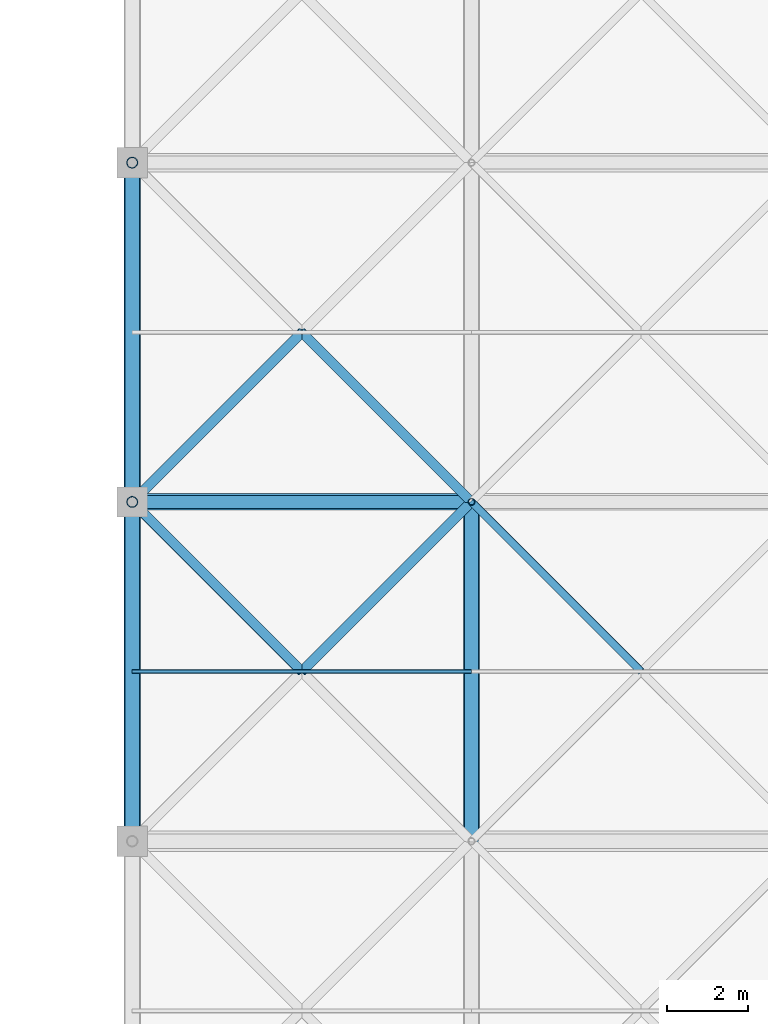
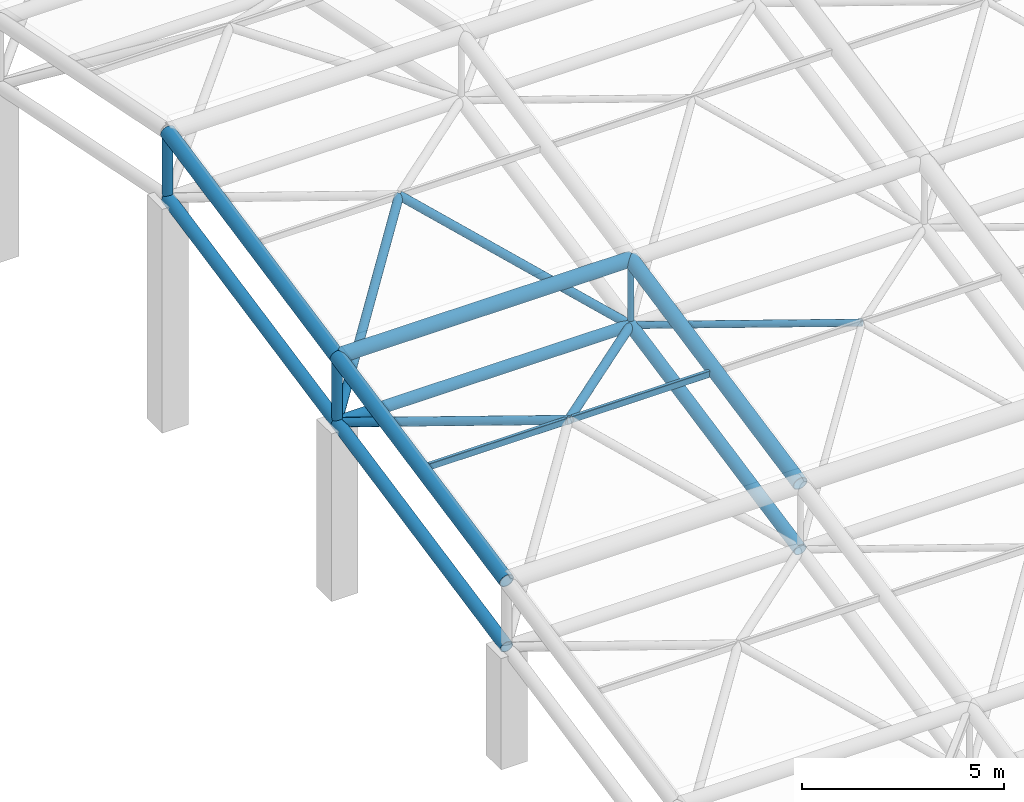
# One storey, part 37 of 110: 17 members.
"""IFC4 building model written with IfcOpenShell, lengths in metres."""

from ifc_helpers import new_model, si_unit, direction, frame, origin, origin_2d, place, context, subcontext, project, spatial, hollow_rectangle, hollow_circle, extrude, material, material_profile, profile_set, type_object, element, save


model = new_model("IFC4")

# Units and contexts
model_context = context("Model", 3, precision=1e-05, world=origin(), true_north=direction((0.0, 1.0)))
body_context = subcontext(model_context, "Body", "Model", "MODEL_VIEW")
ifc_project = project(units=[si_unit("LENGTHUNIT", "METRE"), si_unit("AREAUNIT", "SQUARE_METRE"), si_unit("VOLUMEUNIT", "CUBIC_METRE"), si_unit("PLANEANGLEUNIT", "RADIAN"), si_unit("MASSUNIT", "GRAM", prefix="KILO")], contexts=[model_context])

# Site, building, storey
site_placement = place(None, origin())
site = spatial("IfcSite", under=ifc_project, at=site_placement, CompositionType="ELEMENT")
building_placement = place(site_placement, origin())
building = spatial("IfcBuilding", under=site, at=building_placement, Name="Qawsi Khor Wholesale Market", CompositionType="ELEMENT")
storey_placement = place(building_placement, frame((0.0, 0.0, 11.39990234375)))
storey = spatial("IfcBuildingStorey", under=building, at=storey_placement, Name="L02", CompositionType="ELEMENT", Elevation=11.39990234375)

# Members
ifc_material = material(Name="Steel S355", Category="steel")
ifc_material_profile_1 = material_profile(ifc_material, hollow_circle(Radius=0.177734375, WallThickness=0.01611328125, at=origin_2d()), Name="CHS 355.6x16.0")
ifc_profile_set_1 = profile_set([ifc_material_profile_1], Name="Steel S355")
member_type_1 = type_object("IfcMemberType", Name="Space-Frame Bottom Chord CHS 355.6x16.0", PredefinedType="CHORD", material=ifc_profile_set_1)
for number, where, z_axis, x_axis, name in (
    (1, (142.800048828125, 58.800048828125, 3.3701171875), (0.0, 0.980129990483, 0.1983562496), (-1.0, 0.0, 0.0), "Space frame bottom chord Y EH (17,7)"),
    (2, (142.800048828125, 67.199951171875, 5.070068359375), (0.0, 0.98013111127, 0.198350711418), (-1.0, 0.0, 0.0), "Space frame bottom chord Y EH (17,8)"),
    (3, (151.199951171875, 58.800048828125, 3.3701171875), (0.0, 0.980129990483, 0.1983562496), (-1.0, 0.0, 0.0), "Space frame bottom chord Y EH (18,7)"),
):
    element("IfcMember", number, at=place(storey_placement, frame(where, z_axis=z_axis, x_axis=x_axis)), inside=storey, type_object=member_type_1, Name=name, PredefinedType="CHORD", context=body_context, shape_type="SweptSolid", body=[
        extrude(hollow_circle(Radius=0.177734375, WallThickness=0.01611328125, at=origin_2d()), origin(), (0.0, 0.0, 1.0), 8.5703125),
    ])
ifc_material_profile_2 = material_profile(ifc_material, hollow_circle(Radius=0.136474609375, WallThickness=0.012451171875, at=origin_2d()), Name="CHS 273.0x12.5")
ifc_profile_set_2 = profile_set([ifc_material_profile_2], Name="Steel S355")
member_type_2 = type_object("IfcMemberType", Name="Space-Frame Edge Post CHS 273.0x12.5", PredefinedType="POST", material=ifc_profile_set_2)
for number, where, z_axis, x_axis, name in (
    (4, (142.800048828125, 67.199951171875, 5.070068359375), (0.0, 0.0, 1.0), (1.0, 0.0, 0.0), "Space frame post EH (17,8)"),
    (5, (142.800048828125, 75.60009765625, 6.77001953125), (0.0, 0.0, 1.0), (1.0, 0.0, 0.0), "Space frame post EH (17,9)"),
):
    element("IfcMember", number, at=place(storey_placement, frame(where, z_axis=z_axis, x_axis=x_axis)), inside=storey, type_object=member_type_2, Name=name, PredefinedType="POST", context=body_context, shape_type="SweptSolid", body=[
        extrude(hollow_circle(Radius=0.136474609375, WallThickness=0.012451171875, at=origin_2d()), origin(), (0.0, 0.0, 1.0), 2.0),
    ])
ifc_material_profile_3 = material_profile(ifc_material, hollow_circle(Radius=0.122314453125, WallThickness=0.012451171875, at=origin_2d()), Name="CHS 244.5x12.5")
ifc_profile_set_3 = profile_set([ifc_material_profile_3], Name="Steel S355")
member_type_3 = type_object("IfcMemberType", Name="Space-Frame Heavy Diagonal CHS 244.5x12.5", PredefinedType="POST", material=ifc_profile_set_3)
for number, where, z_axis, x_axis, name in (
    (6, (151.199951171875, 67.199951171875, 5.070068359375), (-0.694211389158, -0.694211389158, 0.190108112208), (0.707106781187, -0.707106781187, 0.0), "Space frame diagonal EH (17,7)-3"),
    (7, (142.800048828125, 67.199951171875, 5.070068359375), (0.694211389158, -0.694211389158, 0.190108112208), (0.707106781187, 0.707106781187, 0.0), "Space frame diagonal EH (17,7)-4"),
):
    element("IfcMember", number, at=place(storey_placement, frame(where, z_axis=z_axis, x_axis=x_axis)), inside=storey, type_object=member_type_3, Name=name, PredefinedType="POST", context=body_context, shape_type="SweptSolid", body=[
        extrude(hollow_circle(Radius=0.122314453125, WallThickness=0.012451171875, at=origin_2d()), origin(), (0.0, 0.0, 1.0), 6.050048828125),
    ])
for number, where, z_axis, x_axis, name in (
    (8, (142.800048828125, 67.199951171875, 5.070068359375), (0.637511741089, 0.637511741089, 0.432617105474), (-0.707106781187, 0.707106781187, 0.0), "Space frame diagonal EH (17,8)-1"),
    (9, (151.199951171875, 67.199951171875, 5.070068359375), (-0.637511741089, 0.637511741089, 0.432617105474), (-0.707106781187, -0.707106781187, 0.0), "Space frame diagonal EH (17,8)-2"),
):
    element("IfcMember", number, at=place(storey_placement, frame(where, z_axis=z_axis, x_axis=x_axis)), inside=storey, type_object=member_type_3, Name=name, PredefinedType="POST", context=body_context, shape_type="SweptSolid", body=[
        extrude(hollow_circle(Radius=0.122314453125, WallThickness=0.012451171875, at=origin_2d()), origin(), (0.0, 0.0, 1.0), 6.588134765625),
    ])
ifc_material_profile_4 = material_profile(ifc_material, hollow_rectangle(XDim=0.10009765625, YDim=0.199951171875, WallThickness=0.008056640625, InnerFilletRadius=0.008056640625, OuterFilletRadius=0.01611328125, at=origin_2d()), Name="RHS 200x100x8.0")
ifc_profile_set_4 = profile_set([ifc_material_profile_4], Name="Steel S355")
member_type_4 = type_object("IfcMemberType", Name="Space-Frame Purlin RHS 200x100x8.0", PredefinedType="PURLIN", material=ifc_profile_set_4)
member_1_placement = place(storey_placement, frame((142.800048828125, 63.0, 6.22021484375), z_axis=(1.0, 0.0, 0.0), x_axis=(0.0, 1.0, 0.0)))
element("IfcMember", 10, at=member_1_placement, inside=storey, type_object=member_type_4, Name="Space frame purlin EH (17,7)", PredefinedType="PURLIN", context=body_context, shape_type="SweptSolid", body=[
    extrude(hollow_rectangle(XDim=0.10009765625, YDim=0.199951171875, WallThickness=0.008056640625, InnerFilletRadius=0.008056640625, OuterFilletRadius=0.01611328125, at=origin_2d()), origin(), (0.0, 0.0, 1.0), 8.39990234375),
])
ifc_material_profile_5 = material_profile(ifc_material, hollow_circle(Radius=0.161865234375, WallThickness=0.01611328125, at=origin_2d()), Name="CHS 323.9x16.0")
ifc_profile_set_5 = profile_set([ifc_material_profile_5], Name="Steel S355")
member_type_5 = type_object("IfcMemberType", Name="Space-Frame Secondary Chord CHS 323.9x16.0", PredefinedType="CHORD", material=ifc_profile_set_5)
member_2_placement = place(storey_placement, frame((142.800048828125, 67.199951171875, 5.070068359375), z_axis=(1.0, 0.0, 0.0), x_axis=(0.0, 1.0, 0.0)))
element("IfcMember", 11, at=member_2_placement, inside=storey, type_object=member_type_5, Name="Space frame bottom chord X EH (17,8)", PredefinedType="CHORD", context=body_context, shape_type="SweptSolid", body=[
    extrude(hollow_circle(Radius=0.161865234375, WallThickness=0.01611328125, at=origin_2d()), origin(), (0.0, 0.0, 1.0), 8.39990234375),
])
ifc_material_profile_6 = material_profile(ifc_material, hollow_circle(Radius=0.096923828125, WallThickness=0.008056640625, at=origin_2d()), Name="CHS 193.7x8.0")
ifc_profile_set_6 = profile_set([ifc_material_profile_6], Name="Steel S355")
member_type_6 = type_object("IfcMemberType", Name="Space-Frame Secondary Diagonal CHS 193.7x8.0", PredefinedType="RAFTER", material=ifc_profile_set_6)
member_3_placement = place(storey_placement, frame((151.199951171875, 67.199951171875, 5.070068359375), z_axis=(0.694211389158, -0.694211389158, 0.190108112208), x_axis=(0.707106781187, 0.707106781187, 0.0)))
element("IfcMember", 12, at=member_3_placement, inside=storey, type_object=member_type_6, Name="Space frame diagonal EH (18,7)-4", PredefinedType="RAFTER", context=body_context, shape_type="SweptSolid", body=[
    extrude(hollow_circle(Radius=0.096923828125, WallThickness=0.008056640625, at=origin_2d()), origin(), (0.0, 0.0, 1.0), 6.050048828125),
])
ifc_material_profile_7 = material_profile(ifc_material, hollow_circle(Radius=0.203125, WallThickness=0.02001953125, at=origin_2d()), Name="CHS 406.4x20.0")
ifc_profile_set_7 = profile_set([ifc_material_profile_7], Name="Steel S355")
member_type_7 = type_object("IfcMemberType", Name="Space-Frame Top Chord CHS 406.4x20.0", PredefinedType="CHORD", material=ifc_profile_set_7)
member_4_placement = place(storey_placement, frame((142.800048828125, 58.800048828125, 5.3701171875), z_axis=(0.0, 0.980129990483, 0.1983562496), x_axis=(-1.0, 0.0, 0.0)))
element("IfcMember", 13, at=member_4_placement, inside=storey, type_object=member_type_7, Name="Space frame top chord Y EH (17,7)", PredefinedType="CHORD", context=body_context, shape_type="SweptSolid", body=[
    extrude(hollow_circle(Radius=0.203125, WallThickness=0.02001953125, at=origin_2d()), origin(), (0.0, 0.0, 1.0), 8.5703125),
])
member_5_placement = place(storey_placement, frame((142.800048828125, 67.199951171875, 7.070068359375), z_axis=(1.0, 0.0, 0.0), x_axis=(0.0, 1.0, 0.0)))
element("IfcMember", 14, at=member_5_placement, inside=storey, type_object=member_type_7, Name="Space frame top chord X EH (17,8)", PredefinedType="CHORD", context=body_context, shape_type="SweptSolid", body=[
    extrude(hollow_circle(Radius=0.203125, WallThickness=0.02001953125, at=origin_2d()), origin(), (0.0, 0.0, 1.0), 8.39990234375),
])
for number, where, z_axis, x_axis, name in (
    (15, (142.800048828125, 67.199951171875, 7.070068359375), (0.0, 0.98013111127, 0.198350711418), (-1.0, 0.0, 0.0), "Space frame top chord Y EH (17,8)"),
    (16, (151.199951171875, 58.800048828125, 5.3701171875), (0.0, 0.980129990483, 0.1983562496), (-1.0, 0.0, 0.0), "Space frame top chord Y EH (18,7)"),
):
    element("IfcMember", number, at=place(storey_placement, frame(where, z_axis=z_axis, x_axis=x_axis)), inside=storey, type_object=member_type_7, Name=name, PredefinedType="CHORD", context=body_context, shape_type="SweptSolid", body=[
        extrude(hollow_circle(Radius=0.203125, WallThickness=0.02001953125, at=origin_2d()), origin(), (0.0, 0.0, 1.0), 8.5703125),
    ])
ifc_material_profile_8 = material_profile(ifc_material, hollow_circle(Radius=0.084228515625, WallThickness=0.008056640625, at=origin_2d()), Name="CHS 168.3x8.0")
ifc_profile_set_8 = profile_set([ifc_material_profile_8], Name="Steel S355")
member_type_8 = type_object("IfcMemberType", Name="Space-Frame Vertical Strut CHS 168.3x8.0", PredefinedType="STRUT", material=ifc_profile_set_8)
member_6_placement = place(storey_placement, frame((151.199951171875, 67.199951171875, 5.070068359375), z_axis=(0.0, 0.0, 1.0), x_axis=(1.0, 0.0, 0.0)))
element("IfcMember", 17, at=member_6_placement, inside=storey, type_object=member_type_8, Name="Space frame post EH (18,8)", PredefinedType="STRUT", context=body_context, shape_type="SweptSolid", body=[
    extrude(hollow_circle(Radius=0.084228515625, WallThickness=0.008056640625, at=origin_2d()), origin(), (0.0, 0.0, 1.0), 2.0),
])

save(model, "model.ifc")
